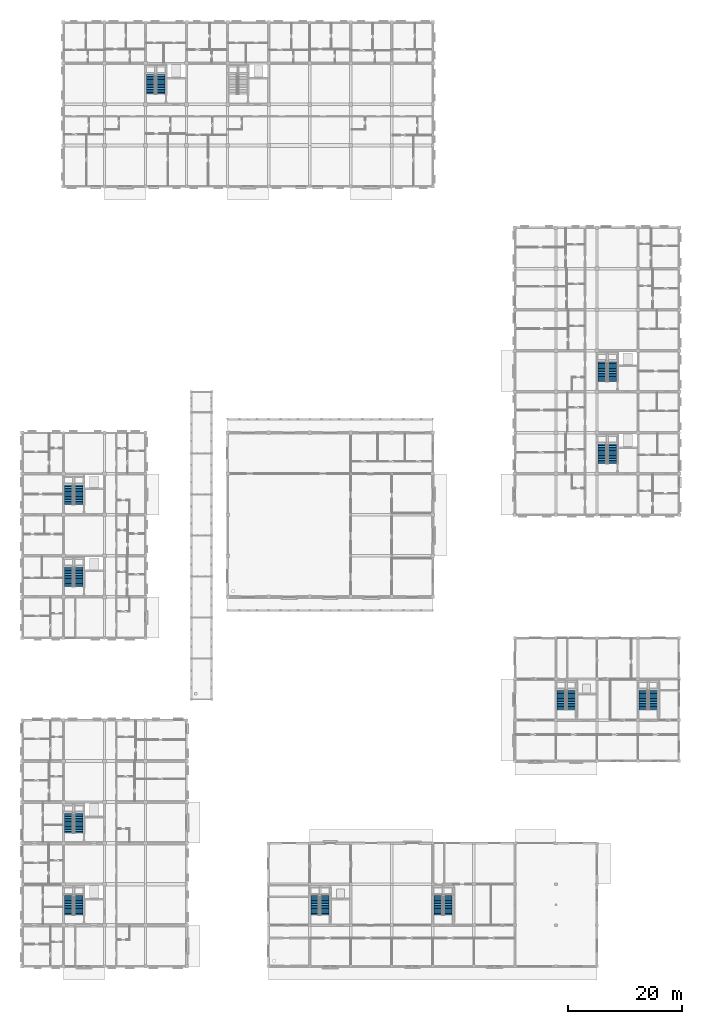
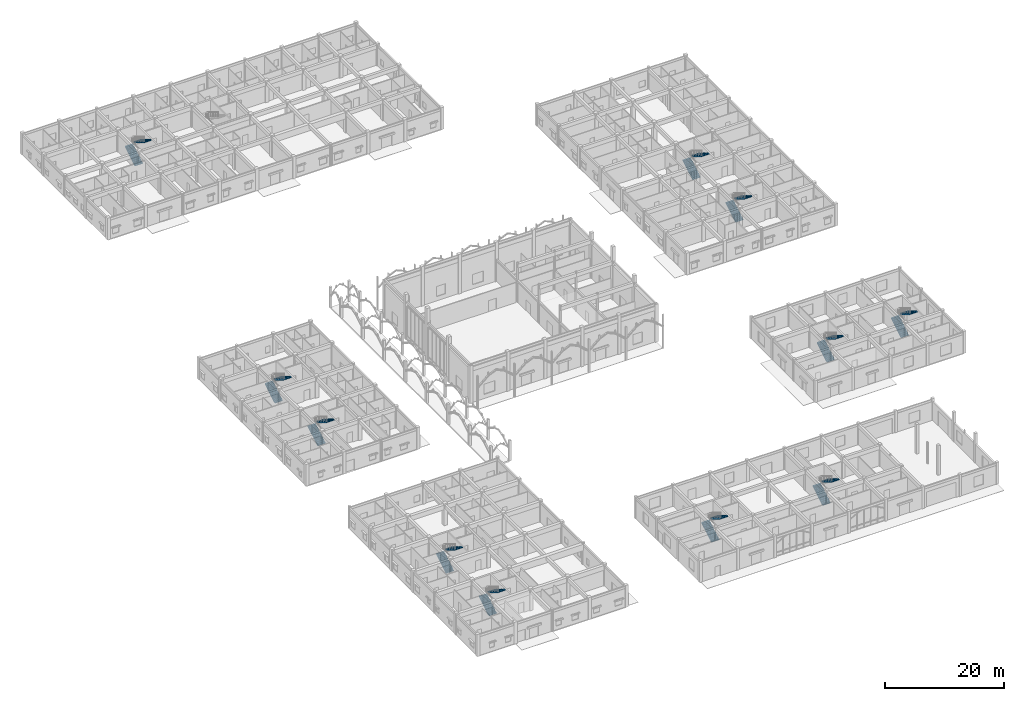
# One storey, part 122 of 138: 22 stair flights, 11 elements without a shape of their own.
"""IFC4 building model written with IfcOpenShell, lengths in metres."""

from ifc_helpers import new_model, si_unit, direction, frame, origin, place, context, subcontext, project, spatial, polyline, outline, extrude, material, type_object, element, aggregate, save


model = new_model("IFC4")

# Units and contexts
model_context = context("Model", 3, precision=1e-05, world=origin(), true_north=direction((0.0, 1.0)))
body_context = subcontext(model_context, "Body", "Model", "MODEL_VIEW")
ifc_project = project(units=[si_unit("LENGTHUNIT", "METRE"), si_unit("AREAUNIT", "SQUARE_METRE"), si_unit("VOLUMEUNIT", "CUBIC_METRE"), si_unit("PLANEANGLEUNIT", "RADIAN"), si_unit("MASSUNIT", "GRAM", prefix="KILO"), si_unit("THERMODYNAMICTEMPERATUREUNIT", "KELVIN"), si_unit("POWERUNIT", "WATT")], contexts=[model_context])

# Site, building, storey
site_placement = place(None, origin())
site = spatial("IfcSite", under=ifc_project, at=site_placement, CompositionType="ELEMENT")
building_placement = place(site_placement, origin())
building = spatial("IfcBuilding", under=site, at=building_placement, Name="Tavuni Mirador Residences", CompositionType="ELEMENT")
storey_placement = place(building_placement, origin())
storey = spatial("IfcBuildingStorey", under=building, at=storey_placement, Name="L00", CompositionType="ELEMENT", Elevation=0.0)

# Stair, stair flights
ifc_material = material(Name="Precast concrete C40/50", Category="concrete")
stair_type = type_object("IfcStairType", Name="STT-L00", PredefinedType="HALF_TURN_STAIR", material=ifc_material)
stair_1_placement = place(storey_placement, origin())
stair_1 = element("IfcStair", 1, at=stair_1_placement, inside=storey, type_object=stair_type, Name="Protected exit stair ST1 (L00)", PredefinedType="HALF_TURN_STAIR")
stair_flight_type = type_object("IfcStairFlightType", Name="SFT-1500", PredefinedType="STRAIGHT", material=ifc_material)
stair_flight_1_placement = place(storey_placement, frame((11.75, 16.199951171875, 0.0), z_axis=(0.0, 0.0, 1.0), x_axis=(0.0, 1.0, 0.0)))
stair_flight_1 = element("IfcStairFlight", 2, at=stair_flight_1_placement, type_object=stair_flight_type, Name="ST1 flight 1", NumberOfRisers=13, NumberOfTreads=12, PredefinedType="STRAIGHT", RiserHeight=0.173076923, TreadLength=0.285, context=body_context, shape_type="SweptSolid", body=[
    extrude(outline(polyline([(0.0, 0.0), (0.0, 0.173095703125), (0.284912109375, 0.173095703125), (0.284912109375, 0.34619140625), (0.570068359375, 0.34619140625), (0.570068359375, 0.519287109375), (0.85498046875, 0.519287109375), (0.85498046875, 0.6923828125), (1.139892578125, 0.6923828125), (1.139892578125, 0.865478515625), (1.425048828125, 0.865478515625), (1.425048828125, 1.03857421875), (1.7099609375, 1.03857421875), (1.7099609375, 1.21142578125), (1.9951171875, 1.21142578125), (1.9951171875, 1.384521484375), (2.280029296875, 1.384521484375), (2.280029296875, 1.5576171875), (2.56494140625, 1.5576171875), (2.56494140625, 1.730712890625), (2.85009765625, 1.730712890625), (2.85009765625, 1.90380859375), (3.135009765625, 1.90380859375), (3.135009765625, 2.076904296875), (3.419921875, 2.076904296875), (3.419921875, 2.25), (3.419921875, 1.889892578125), (0.30810546875, 0.0), (0.0, 0.0)])), frame((0.0, 0.75, 0.0), z_axis=(0.0, -1.0, 0.0), x_axis=(1.0, 0.0, 0.0)), (0.0, 0.0, 1.0), 1.5),
])
stair_flight_2_placement = place(storey_placement, frame((13.449951171875, 19.6201171875, 2.25), z_axis=(0.0, 0.0, 1.0), x_axis=(0.0, -1.0, 0.0)))
stair_flight_2 = element("IfcStairFlight", 3, at=stair_flight_2_placement, type_object=stair_flight_type, Name="ST1 flight 2", NumberOfRisers=13, NumberOfTreads=12, PredefinedType="STRAIGHT", RiserHeight=0.173076923, TreadLength=0.285, context=body_context, shape_type="SweptSolid", body=[
    extrude(outline(polyline([(0.0, 0.0), (0.0, 0.173095703125), (0.284912109375, 0.173095703125), (0.284912109375, 0.34619140625), (0.570068359375, 0.34619140625), (0.570068359375, 0.519287109375), (0.85498046875, 0.519287109375), (0.85498046875, 0.6923828125), (1.139892578125, 0.6923828125), (1.139892578125, 0.865478515625), (1.425048828125, 0.865478515625), (1.425048828125, 1.03857421875), (1.7099609375, 1.03857421875), (1.7099609375, 1.21142578125), (1.9951171875, 1.21142578125), (1.9951171875, 1.384521484375), (2.280029296875, 1.384521484375), (2.280029296875, 1.5576171875), (2.56494140625, 1.5576171875), (2.56494140625, 1.730712890625), (2.85009765625, 1.730712890625), (2.85009765625, 1.90380859375), (3.135009765625, 1.90380859375), (3.135009765625, 2.076904296875), (3.419921875, 2.076904296875), (3.419921875, 2.25), (3.419921875, 1.889892578125), (0.30810546875, 0.0), (0.0, 0.0)])), frame((0.0, 0.75, 0.0), z_axis=(0.0, -1.0, 0.0), x_axis=(1.0, 0.0, 0.0)), (0.0, 0.0, 1.0), 1.5),
])
aggregate(stair_1, [stair_flight_1, stair_flight_2])

stair_2_placement = place(storey_placement, origin())
stair_2 = element("IfcStair", 4, at=stair_2_placement, inside=storey, type_object=stair_type, Name="Protected exit stair ST2 (L00)", PredefinedType="HALF_TURN_STAIR")
stair_flight_3_placement = place(storey_placement, frame((11.75, 30.60009765625, 0.0), z_axis=(0.0, 0.0, 1.0), x_axis=(0.0, 1.0, 0.0)))
stair_flight_3 = element("IfcStairFlight", 5, at=stair_flight_3_placement, type_object=stair_flight_type, Name="ST2 flight 1", NumberOfRisers=13, NumberOfTreads=12, PredefinedType="STRAIGHT", RiserHeight=0.173076923, TreadLength=0.285, context=body_context, shape_type="SweptSolid", body=[
    extrude(outline(polyline([(0.0, 0.0), (0.0, 0.173095703125), (0.284912109375, 0.173095703125), (0.284912109375, 0.34619140625), (0.570068359375, 0.34619140625), (0.570068359375, 0.519287109375), (0.85498046875, 0.519287109375), (0.85498046875, 0.6923828125), (1.139892578125, 0.6923828125), (1.139892578125, 0.865478515625), (1.425048828125, 0.865478515625), (1.425048828125, 1.03857421875), (1.7099609375, 1.03857421875), (1.7099609375, 1.21142578125), (1.9951171875, 1.21142578125), (1.9951171875, 1.384521484375), (2.280029296875, 1.384521484375), (2.280029296875, 1.5576171875), (2.56494140625, 1.5576171875), (2.56494140625, 1.730712890625), (2.85009765625, 1.730712890625), (2.85009765625, 1.90380859375), (3.135009765625, 1.90380859375), (3.135009765625, 2.076904296875), (3.419921875, 2.076904296875), (3.419921875, 2.25), (3.419921875, 1.889892578125), (0.30810546875, 0.0), (0.0, 0.0)])), frame((0.0, 0.75, 0.0), z_axis=(0.0, -1.0, 0.0), x_axis=(1.0, 0.0, 0.0)), (0.0, 0.0, 1.0), 1.5),
])
stair_flight_4_placement = place(storey_placement, frame((13.449951171875, 34.02001953125, 2.25), z_axis=(0.0, 0.0, 1.0), x_axis=(0.0, -1.0, 0.0)))
stair_flight_4 = element("IfcStairFlight", 6, at=stair_flight_4_placement, type_object=stair_flight_type, Name="ST2 flight 2", NumberOfRisers=13, NumberOfTreads=12, PredefinedType="STRAIGHT", RiserHeight=0.173076923, TreadLength=0.285, context=body_context, shape_type="SweptSolid", body=[
    extrude(outline(polyline([(0.0, 0.0), (0.0, 0.173095703125), (0.284912109375, 0.173095703125), (0.284912109375, 0.34619140625), (0.570068359375, 0.34619140625), (0.570068359375, 0.519287109375), (0.85498046875, 0.519287109375), (0.85498046875, 0.6923828125), (1.139892578125, 0.6923828125), (1.139892578125, 0.865478515625), (1.425048828125, 0.865478515625), (1.425048828125, 1.03857421875), (1.7099609375, 1.03857421875), (1.7099609375, 1.21142578125), (1.9951171875, 1.21142578125), (1.9951171875, 1.384521484375), (2.280029296875, 1.384521484375), (2.280029296875, 1.5576171875), (2.56494140625, 1.5576171875), (2.56494140625, 1.730712890625), (2.85009765625, 1.730712890625), (2.85009765625, 1.90380859375), (3.135009765625, 1.90380859375), (3.135009765625, 2.076904296875), (3.419921875, 2.076904296875), (3.419921875, 2.25), (3.419921875, 1.889892578125), (0.30810546875, 0.0), (0.0, 0.0)])), frame((0.0, 0.75, 0.0), z_axis=(0.0, -1.0, 0.0), x_axis=(1.0, 0.0, 0.0)), (0.0, 0.0, 1.0), 1.5),
])
aggregate(stair_2, [stair_flight_3, stair_flight_4])

stair_3_placement = place(storey_placement, origin())
stair_3 = element("IfcStair", 7, at=stair_3_placement, inside=storey, type_object=stair_type, Name="Protected exit stair ST3 (L00)", PredefinedType="HALF_TURN_STAIR")
stair_flight_5_placement = place(storey_placement, frame((11.75, 73.800048828125, 0.0), z_axis=(0.0, 0.0, 1.0), x_axis=(0.0, 1.0, 0.0)))
stair_flight_5 = element("IfcStairFlight", 8, at=stair_flight_5_placement, type_object=stair_flight_type, Name="ST3 flight 1", NumberOfRisers=13, NumberOfTreads=12, PredefinedType="STRAIGHT", RiserHeight=0.173076923, TreadLength=0.285, context=body_context, shape_type="SweptSolid", body=[
    extrude(outline(polyline([(0.0, 0.0), (0.0, 0.173095703125), (0.284912109375, 0.173095703125), (0.284912109375, 0.34619140625), (0.570068359375, 0.34619140625), (0.570068359375, 0.519287109375), (0.85498046875, 0.519287109375), (0.85498046875, 0.6923828125), (1.139892578125, 0.6923828125), (1.139892578125, 0.865478515625), (1.425048828125, 0.865478515625), (1.425048828125, 1.03857421875), (1.7099609375, 1.03857421875), (1.7099609375, 1.21142578125), (1.9951171875, 1.21142578125), (1.9951171875, 1.384521484375), (2.280029296875, 1.384521484375), (2.280029296875, 1.5576171875), (2.56494140625, 1.5576171875), (2.56494140625, 1.730712890625), (2.85009765625, 1.730712890625), (2.85009765625, 1.90380859375), (3.135009765625, 1.90380859375), (3.135009765625, 2.076904296875), (3.419921875, 2.076904296875), (3.419921875, 2.25), (3.419921875, 1.889892578125), (0.30810546875, 0.0), (0.0, 0.0)])), frame((0.0, 0.75, 0.0), z_axis=(0.0, -1.0, 0.0), x_axis=(1.0, 0.0, 0.0)), (0.0, 0.0, 1.0), 1.5),
])
stair_flight_6_placement = place(storey_placement, frame((13.449951171875, 77.219970703125, 2.25), z_axis=(0.0, 0.0, 1.0), x_axis=(0.0, -1.0, 0.0)))
stair_flight_6 = element("IfcStairFlight", 9, at=stair_flight_6_placement, type_object=stair_flight_type, Name="ST3 flight 2", NumberOfRisers=13, NumberOfTreads=12, PredefinedType="STRAIGHT", RiserHeight=0.173076923, TreadLength=0.285, context=body_context, shape_type="SweptSolid", body=[
    extrude(outline(polyline([(0.0, 0.0), (0.0, 0.173095703125), (0.284912109375, 0.173095703125), (0.284912109375, 0.34619140625), (0.570068359375, 0.34619140625), (0.570068359375, 0.519287109375), (0.85498046875, 0.519287109375), (0.85498046875, 0.6923828125), (1.139892578125, 0.6923828125), (1.139892578125, 0.865478515625), (1.425048828125, 0.865478515625), (1.425048828125, 1.03857421875), (1.7099609375, 1.03857421875), (1.7099609375, 1.21142578125), (1.9951171875, 1.21142578125), (1.9951171875, 1.384521484375), (2.280029296875, 1.384521484375), (2.280029296875, 1.5576171875), (2.56494140625, 1.5576171875), (2.56494140625, 1.730712890625), (2.85009765625, 1.730712890625), (2.85009765625, 1.90380859375), (3.135009765625, 1.90380859375), (3.135009765625, 2.076904296875), (3.419921875, 2.076904296875), (3.419921875, 2.25), (3.419921875, 1.889892578125), (0.30810546875, 0.0), (0.0, 0.0)])), frame((0.0, 0.75, 0.0), z_axis=(0.0, -1.0, 0.0), x_axis=(1.0, 0.0, 0.0)), (0.0, 0.0, 1.0), 1.5),
])
aggregate(stair_3, [stair_flight_5, stair_flight_6])

stair_4_placement = place(storey_placement, origin())
stair_4 = element("IfcStair", 10, at=stair_4_placement, inside=storey, type_object=stair_type, Name="Protected exit stair ST4 (L00)", PredefinedType="HALF_TURN_STAIR")
stair_flight_7_placement = place(storey_placement, frame((11.75, 88.199951171875, 0.0), z_axis=(0.0, 0.0, 1.0), x_axis=(0.0, 1.0, 0.0)))
stair_flight_7 = element("IfcStairFlight", 11, at=stair_flight_7_placement, type_object=stair_flight_type, Name="ST4 flight 1", NumberOfRisers=13, NumberOfTreads=12, PredefinedType="STRAIGHT", RiserHeight=0.173076923, TreadLength=0.285, context=body_context, shape_type="SweptSolid", body=[
    extrude(outline(polyline([(0.0, 0.0), (0.0, 0.173095703125), (0.284912109375, 0.173095703125), (0.284912109375, 0.34619140625), (0.570068359375, 0.34619140625), (0.570068359375, 0.519287109375), (0.85498046875, 0.519287109375), (0.85498046875, 0.6923828125), (1.139892578125, 0.6923828125), (1.139892578125, 0.865478515625), (1.425048828125, 0.865478515625), (1.425048828125, 1.03857421875), (1.7099609375, 1.03857421875), (1.7099609375, 1.21142578125), (1.9951171875, 1.21142578125), (1.9951171875, 1.384521484375), (2.280029296875, 1.384521484375), (2.280029296875, 1.5576171875), (2.56494140625, 1.5576171875), (2.56494140625, 1.730712890625), (2.85009765625, 1.730712890625), (2.85009765625, 1.90380859375), (3.135009765625, 1.90380859375), (3.135009765625, 2.076904296875), (3.419921875, 2.076904296875), (3.419921875, 2.25), (3.419921875, 1.889892578125), (0.30810546875, 0.0), (0.0, 0.0)])), frame((0.0, 0.75, 0.0), z_axis=(0.0, -1.0, 0.0), x_axis=(1.0, 0.0, 0.0)), (0.0, 0.0, 1.0), 1.5),
])
stair_flight_8_placement = place(storey_placement, frame((13.449951171875, 91.6201171875, 2.25), z_axis=(0.0, 0.0, 1.0), x_axis=(0.0, -1.0, 0.0)))
stair_flight_8 = element("IfcStairFlight", 12, at=stair_flight_8_placement, type_object=stair_flight_type, Name="ST4 flight 2", NumberOfRisers=13, NumberOfTreads=12, PredefinedType="STRAIGHT", RiserHeight=0.173076923, TreadLength=0.285, context=body_context, shape_type="SweptSolid", body=[
    extrude(outline(polyline([(0.0, 0.0), (0.0, 0.173095703125), (0.284912109375, 0.173095703125), (0.284912109375, 0.34619140625), (0.570068359375, 0.34619140625), (0.570068359375, 0.519287109375), (0.85498046875, 0.519287109375), (0.85498046875, 0.6923828125), (1.139892578125, 0.6923828125), (1.139892578125, 0.865478515625), (1.425048828125, 0.865478515625), (1.425048828125, 1.03857421875), (1.7099609375, 1.03857421875), (1.7099609375, 1.21142578125), (1.9951171875, 1.21142578125), (1.9951171875, 1.384521484375), (2.280029296875, 1.384521484375), (2.280029296875, 1.5576171875), (2.56494140625, 1.5576171875), (2.56494140625, 1.730712890625), (2.85009765625, 1.730712890625), (2.85009765625, 1.90380859375), (3.135009765625, 1.90380859375), (3.135009765625, 2.076904296875), (3.419921875, 2.076904296875), (3.419921875, 2.25), (3.419921875, 1.889892578125), (0.30810546875, 0.0), (0.0, 0.0)])), frame((0.0, 0.75, 0.0), z_axis=(0.0, -1.0, 0.0), x_axis=(1.0, 0.0, 0.0)), (0.0, 0.0, 1.0), 1.5),
])
aggregate(stair_4, [stair_flight_7, stair_flight_8])

stair_5_placement = place(storey_placement, origin())
stair_5 = element("IfcStair", 13, at=stair_5_placement, inside=storey, type_object=stair_type, Name="Protected exit stair ST5 (L00)", PredefinedType="HALF_TURN_STAIR")
stair_flight_9_placement = place(storey_placement, frame((26.14990234375, 160.199951171875, 0.0), z_axis=(0.0, 0.0, 1.0), x_axis=(0.0, 1.0, 0.0)))
stair_flight_9 = element("IfcStairFlight", 14, at=stair_flight_9_placement, type_object=stair_flight_type, Name="ST5 flight 1", NumberOfRisers=13, NumberOfTreads=12, PredefinedType="STRAIGHT", RiserHeight=0.173076923, TreadLength=0.285, context=body_context, shape_type="SweptSolid", body=[
    extrude(outline(polyline([(0.0, 0.0), (0.0, 0.173095703125), (0.284912109375, 0.173095703125), (0.284912109375, 0.34619140625), (0.570068359375, 0.34619140625), (0.570068359375, 0.519287109375), (0.85498046875, 0.519287109375), (0.85498046875, 0.6923828125), (1.139892578125, 0.6923828125), (1.139892578125, 0.865478515625), (1.425048828125, 0.865478515625), (1.425048828125, 1.03857421875), (1.7099609375, 1.03857421875), (1.7099609375, 1.21142578125), (1.9951171875, 1.21142578125), (1.9951171875, 1.384521484375), (2.280029296875, 1.384521484375), (2.280029296875, 1.5576171875), (2.56494140625, 1.5576171875), (2.56494140625, 1.730712890625), (2.85009765625, 1.730712890625), (2.85009765625, 1.90380859375), (3.135009765625, 1.90380859375), (3.135009765625, 2.076904296875), (3.419921875, 2.076904296875), (3.419921875, 2.25), (3.419921875, 1.889892578125), (0.30810546875, 0.0), (0.0, 0.0)])), frame((0.0, 0.75, 0.0), z_axis=(0.0, -1.0, 0.0), x_axis=(1.0, 0.0, 0.0)), (0.0, 0.0, 1.0), 1.5),
])
stair_flight_10_placement = place(storey_placement, frame((27.85009765625, 163.6201171875, 2.25), z_axis=(0.0, 0.0, 1.0), x_axis=(0.0, -1.0, 0.0)))
stair_flight_10 = element("IfcStairFlight", 15, at=stair_flight_10_placement, type_object=stair_flight_type, Name="ST5 flight 2", NumberOfRisers=13, NumberOfTreads=12, PredefinedType="STRAIGHT", RiserHeight=0.173076923, TreadLength=0.285, context=body_context, shape_type="SweptSolid", body=[
    extrude(outline(polyline([(0.0, 0.0), (0.0, 0.173095703125), (0.284912109375, 0.173095703125), (0.284912109375, 0.34619140625), (0.570068359375, 0.34619140625), (0.570068359375, 0.519287109375), (0.85498046875, 0.519287109375), (0.85498046875, 0.6923828125), (1.139892578125, 0.6923828125), (1.139892578125, 0.865478515625), (1.425048828125, 0.865478515625), (1.425048828125, 1.03857421875), (1.7099609375, 1.03857421875), (1.7099609375, 1.21142578125), (1.9951171875, 1.21142578125), (1.9951171875, 1.384521484375), (2.280029296875, 1.384521484375), (2.280029296875, 1.5576171875), (2.56494140625, 1.5576171875), (2.56494140625, 1.730712890625), (2.85009765625, 1.730712890625), (2.85009765625, 1.90380859375), (3.135009765625, 1.90380859375), (3.135009765625, 2.076904296875), (3.419921875, 2.076904296875), (3.419921875, 2.25), (3.419921875, 1.889892578125), (0.30810546875, 0.0), (0.0, 0.0)])), frame((0.0, 0.75, 0.0), z_axis=(0.0, -1.0, 0.0), x_axis=(1.0, 0.0, 0.0)), (0.0, 0.0, 1.0), 1.5),
])
aggregate(stair_5, [stair_flight_9, stair_flight_10])

stair_6_placement = place(storey_placement, origin())
stair_6 = element("IfcStair", 16, at=stair_6_placement, inside=storey, type_object=stair_type, Name="Protected exit stair ST7 (L00)", PredefinedType="HALF_TURN_STAIR")
stair_flight_11_placement = place(storey_placement, frame((105.35009765625, 95.39990234375, 0.0), z_axis=(0.0, 0.0, 1.0), x_axis=(0.0, 1.0, 0.0)))
stair_flight_11 = element("IfcStairFlight", 17, at=stair_flight_11_placement, type_object=stair_flight_type, Name="ST7 flight 1", NumberOfRisers=13, NumberOfTreads=12, PredefinedType="STRAIGHT", RiserHeight=0.173076923, TreadLength=0.285, context=body_context, shape_type="SweptSolid", body=[
    extrude(outline(polyline([(0.0, 0.0), (0.0, 0.173095703125), (0.284912109375, 0.173095703125), (0.284912109375, 0.34619140625), (0.570068359375, 0.34619140625), (0.570068359375, 0.519287109375), (0.85498046875, 0.519287109375), (0.85498046875, 0.6923828125), (1.139892578125, 0.6923828125), (1.139892578125, 0.865478515625), (1.425048828125, 0.865478515625), (1.425048828125, 1.03857421875), (1.7099609375, 1.03857421875), (1.7099609375, 1.21142578125), (1.9951171875, 1.21142578125), (1.9951171875, 1.384521484375), (2.280029296875, 1.384521484375), (2.280029296875, 1.5576171875), (2.56494140625, 1.5576171875), (2.56494140625, 1.730712890625), (2.85009765625, 1.730712890625), (2.85009765625, 1.90380859375), (3.135009765625, 1.90380859375), (3.135009765625, 2.076904296875), (3.419921875, 2.076904296875), (3.419921875, 2.25), (3.419921875, 1.889892578125), (0.30810546875, 0.0), (0.0, 0.0)])), frame((0.0, 0.75, 0.0), z_axis=(0.0, -1.0, 0.0), x_axis=(1.0, 0.0, 0.0)), (0.0, 0.0, 1.0), 1.5),
])
stair_flight_12_placement = place(storey_placement, frame((107.050048828125, 98.820068359375, 2.25), z_axis=(0.0, 0.0, 1.0), x_axis=(0.0, -1.0, 0.0)))
stair_flight_12 = element("IfcStairFlight", 18, at=stair_flight_12_placement, type_object=stair_flight_type, Name="ST7 flight 2", NumberOfRisers=13, NumberOfTreads=12, PredefinedType="STRAIGHT", RiserHeight=0.173076923, TreadLength=0.285, context=body_context, shape_type="SweptSolid", body=[
    extrude(outline(polyline([(0.0, 0.0), (0.0, 0.173095703125), (0.284912109375, 0.173095703125), (0.284912109375, 0.34619140625), (0.570068359375, 0.34619140625), (0.570068359375, 0.519287109375), (0.85498046875, 0.519287109375), (0.85498046875, 0.6923828125), (1.139892578125, 0.6923828125), (1.139892578125, 0.865478515625), (1.425048828125, 0.865478515625), (1.425048828125, 1.03857421875), (1.7099609375, 1.03857421875), (1.7099609375, 1.21142578125), (1.9951171875, 1.21142578125), (1.9951171875, 1.384521484375), (2.280029296875, 1.384521484375), (2.280029296875, 1.5576171875), (2.56494140625, 1.5576171875), (2.56494140625, 1.730712890625), (2.85009765625, 1.730712890625), (2.85009765625, 1.90380859375), (3.135009765625, 1.90380859375), (3.135009765625, 2.076904296875), (3.419921875, 2.076904296875), (3.419921875, 2.25), (3.419921875, 1.889892578125), (0.30810546875, 0.0), (0.0, 0.0)])), frame((0.0, 0.75, 0.0), z_axis=(0.0, -1.0, 0.0), x_axis=(1.0, 0.0, 0.0)), (0.0, 0.0, 1.0), 1.5),
])
aggregate(stair_6, [stair_flight_11, stair_flight_12])

stair_7_placement = place(storey_placement, origin())
stair_7 = element("IfcStair", 19, at=stair_7_placement, inside=storey, type_object=stair_type, Name="Protected exit stair ST8 (L00)", PredefinedType="HALF_TURN_STAIR")
stair_flight_13_placement = place(storey_placement, frame((105.35009765625, 109.800048828125, 0.0), z_axis=(0.0, 0.0, 1.0), x_axis=(0.0, 1.0, 0.0)))
stair_flight_13 = element("IfcStairFlight", 20, at=stair_flight_13_placement, type_object=stair_flight_type, Name="ST8 flight 1", NumberOfRisers=13, NumberOfTreads=12, PredefinedType="STRAIGHT", RiserHeight=0.173076923, TreadLength=0.285, context=body_context, shape_type="SweptSolid", body=[
    extrude(outline(polyline([(0.0, 0.0), (0.0, 0.173095703125), (0.284912109375, 0.173095703125), (0.284912109375, 0.34619140625), (0.570068359375, 0.34619140625), (0.570068359375, 0.519287109375), (0.85498046875, 0.519287109375), (0.85498046875, 0.6923828125), (1.139892578125, 0.6923828125), (1.139892578125, 0.865478515625), (1.425048828125, 0.865478515625), (1.425048828125, 1.03857421875), (1.7099609375, 1.03857421875), (1.7099609375, 1.21142578125), (1.9951171875, 1.21142578125), (1.9951171875, 1.384521484375), (2.280029296875, 1.384521484375), (2.280029296875, 1.5576171875), (2.56494140625, 1.5576171875), (2.56494140625, 1.730712890625), (2.85009765625, 1.730712890625), (2.85009765625, 1.90380859375), (3.135009765625, 1.90380859375), (3.135009765625, 2.076904296875), (3.419921875, 2.076904296875), (3.419921875, 2.25), (3.419921875, 1.889892578125), (0.30810546875, 0.0), (0.0, 0.0)])), frame((0.0, 0.75, 0.0), z_axis=(0.0, -1.0, 0.0), x_axis=(1.0, 0.0, 0.0)), (0.0, 0.0, 1.0), 1.5),
])
stair_flight_14_placement = place(storey_placement, frame((107.050048828125, 113.219970703125, 2.25), z_axis=(0.0, 0.0, 1.0), x_axis=(0.0, -1.0, 0.0)))
stair_flight_14 = element("IfcStairFlight", 21, at=stair_flight_14_placement, type_object=stair_flight_type, Name="ST8 flight 2", NumberOfRisers=13, NumberOfTreads=12, PredefinedType="STRAIGHT", RiserHeight=0.173076923, TreadLength=0.285, context=body_context, shape_type="SweptSolid", body=[
    extrude(outline(polyline([(0.0, 0.0), (0.0, 0.173095703125), (0.284912109375, 0.173095703125), (0.284912109375, 0.34619140625), (0.570068359375, 0.34619140625), (0.570068359375, 0.519287109375), (0.85498046875, 0.519287109375), (0.85498046875, 0.6923828125), (1.139892578125, 0.6923828125), (1.139892578125, 0.865478515625), (1.425048828125, 0.865478515625), (1.425048828125, 1.03857421875), (1.7099609375, 1.03857421875), (1.7099609375, 1.21142578125), (1.9951171875, 1.21142578125), (1.9951171875, 1.384521484375), (2.280029296875, 1.384521484375), (2.280029296875, 1.5576171875), (2.56494140625, 1.5576171875), (2.56494140625, 1.730712890625), (2.85009765625, 1.730712890625), (2.85009765625, 1.90380859375), (3.135009765625, 1.90380859375), (3.135009765625, 2.076904296875), (3.419921875, 2.076904296875), (3.419921875, 2.25), (3.419921875, 1.889892578125), (0.30810546875, 0.0), (0.0, 0.0)])), frame((0.0, 0.75, 0.0), z_axis=(0.0, -1.0, 0.0), x_axis=(1.0, 0.0, 0.0)), (0.0, 0.0, 1.0), 1.5),
])
aggregate(stair_7, [stair_flight_13, stair_flight_14])

stair_8_placement = place(storey_placement, origin())
stair_8 = element("IfcStair", 22, at=stair_8_placement, inside=storey, type_object=stair_type, Name="Protected exit stair ST9 (L00)", PredefinedType="HALF_TURN_STAIR")
stair_flight_15_placement = place(storey_placement, frame((54.949951171875, 16.199951171875, 0.0), z_axis=(0.0, 0.0, 1.0), x_axis=(0.0, 1.0, 0.0)))
stair_flight_15 = element("IfcStairFlight", 23, at=stair_flight_15_placement, type_object=stair_flight_type, Name="ST9 flight 1", NumberOfRisers=13, NumberOfTreads=12, PredefinedType="STRAIGHT", RiserHeight=0.173076923, TreadLength=0.285, context=body_context, shape_type="SweptSolid", body=[
    extrude(outline(polyline([(0.0, 0.0), (0.0, 0.173095703125), (0.284912109375, 0.173095703125), (0.284912109375, 0.34619140625), (0.570068359375, 0.34619140625), (0.570068359375, 0.519287109375), (0.85498046875, 0.519287109375), (0.85498046875, 0.6923828125), (1.139892578125, 0.6923828125), (1.139892578125, 0.865478515625), (1.425048828125, 0.865478515625), (1.425048828125, 1.03857421875), (1.7099609375, 1.03857421875), (1.7099609375, 1.21142578125), (1.9951171875, 1.21142578125), (1.9951171875, 1.384521484375), (2.280029296875, 1.384521484375), (2.280029296875, 1.5576171875), (2.56494140625, 1.5576171875), (2.56494140625, 1.730712890625), (2.85009765625, 1.730712890625), (2.85009765625, 1.90380859375), (3.135009765625, 1.90380859375), (3.135009765625, 2.076904296875), (3.419921875, 2.076904296875), (3.419921875, 2.25), (3.419921875, 1.889892578125), (0.30810546875, 0.0), (0.0, 0.0)])), frame((0.0, 0.75, 0.0), z_axis=(0.0, -1.0, 0.0), x_axis=(1.0, 0.0, 0.0)), (0.0, 0.0, 1.0), 1.5),
])
stair_flight_16_placement = place(storey_placement, frame((56.64990234375, 19.6201171875, 2.25), z_axis=(0.0, 0.0, 1.0), x_axis=(0.0, -1.0, 0.0)))
stair_flight_16 = element("IfcStairFlight", 24, at=stair_flight_16_placement, type_object=stair_flight_type, Name="ST9 flight 2", NumberOfRisers=13, NumberOfTreads=12, PredefinedType="STRAIGHT", RiserHeight=0.173076923, TreadLength=0.285, context=body_context, shape_type="SweptSolid", body=[
    extrude(outline(polyline([(0.0, 0.0), (0.0, 0.173095703125), (0.284912109375, 0.173095703125), (0.284912109375, 0.34619140625), (0.570068359375, 0.34619140625), (0.570068359375, 0.519287109375), (0.85498046875, 0.519287109375), (0.85498046875, 0.6923828125), (1.139892578125, 0.6923828125), (1.139892578125, 0.865478515625), (1.425048828125, 0.865478515625), (1.425048828125, 1.03857421875), (1.7099609375, 1.03857421875), (1.7099609375, 1.21142578125), (1.9951171875, 1.21142578125), (1.9951171875, 1.384521484375), (2.280029296875, 1.384521484375), (2.280029296875, 1.5576171875), (2.56494140625, 1.5576171875), (2.56494140625, 1.730712890625), (2.85009765625, 1.730712890625), (2.85009765625, 1.90380859375), (3.135009765625, 1.90380859375), (3.135009765625, 2.076904296875), (3.419921875, 2.076904296875), (3.419921875, 2.25), (3.419921875, 1.889892578125), (0.30810546875, 0.0), (0.0, 0.0)])), frame((0.0, 0.75, 0.0), z_axis=(0.0, -1.0, 0.0), x_axis=(1.0, 0.0, 0.0)), (0.0, 0.0, 1.0), 1.5),
])
aggregate(stair_8, [stair_flight_15, stair_flight_16])

stair_9_placement = place(storey_placement, origin())
stair_9 = element("IfcStair", 25, at=stair_9_placement, inside=storey, type_object=stair_type, Name="Protected exit stair ST10 (L00)", PredefinedType="HALF_TURN_STAIR")
stair_flight_17_placement = place(storey_placement, frame((76.550048828125, 16.199951171875, 0.0), z_axis=(0.0, 0.0, 1.0), x_axis=(0.0, 1.0, 0.0)))
stair_flight_17 = element("IfcStairFlight", 26, at=stair_flight_17_placement, type_object=stair_flight_type, Name="ST10 flight 1", NumberOfRisers=13, NumberOfTreads=12, PredefinedType="STRAIGHT", RiserHeight=0.173076923, TreadLength=0.285, context=body_context, shape_type="SweptSolid", body=[
    extrude(outline(polyline([(0.0, 0.0), (0.0, 0.173095703125), (0.284912109375, 0.173095703125), (0.284912109375, 0.34619140625), (0.570068359375, 0.34619140625), (0.570068359375, 0.519287109375), (0.85498046875, 0.519287109375), (0.85498046875, 0.6923828125), (1.139892578125, 0.6923828125), (1.139892578125, 0.865478515625), (1.425048828125, 0.865478515625), (1.425048828125, 1.03857421875), (1.7099609375, 1.03857421875), (1.7099609375, 1.21142578125), (1.9951171875, 1.21142578125), (1.9951171875, 1.384521484375), (2.280029296875, 1.384521484375), (2.280029296875, 1.5576171875), (2.56494140625, 1.5576171875), (2.56494140625, 1.730712890625), (2.85009765625, 1.730712890625), (2.85009765625, 1.90380859375), (3.135009765625, 1.90380859375), (3.135009765625, 2.076904296875), (3.419921875, 2.076904296875), (3.419921875, 2.25), (3.419921875, 1.889892578125), (0.30810546875, 0.0), (0.0, 0.0)])), frame((0.0, 0.75, 0.0), z_axis=(0.0, -1.0, 0.0), x_axis=(1.0, 0.0, 0.0)), (0.0, 0.0, 1.0), 1.5),
])
stair_flight_18_placement = place(storey_placement, frame((78.25, 19.6201171875, 2.25), z_axis=(0.0, 0.0, 1.0), x_axis=(0.0, -1.0, 0.0)))
stair_flight_18 = element("IfcStairFlight", 27, at=stair_flight_18_placement, type_object=stair_flight_type, Name="ST10 flight 2", NumberOfRisers=13, NumberOfTreads=12, PredefinedType="STRAIGHT", RiserHeight=0.173076923, TreadLength=0.285, context=body_context, shape_type="SweptSolid", body=[
    extrude(outline(polyline([(0.0, 0.0), (0.0, 0.173095703125), (0.284912109375, 0.173095703125), (0.284912109375, 0.34619140625), (0.570068359375, 0.34619140625), (0.570068359375, 0.519287109375), (0.85498046875, 0.519287109375), (0.85498046875, 0.6923828125), (1.139892578125, 0.6923828125), (1.139892578125, 0.865478515625), (1.425048828125, 0.865478515625), (1.425048828125, 1.03857421875), (1.7099609375, 1.03857421875), (1.7099609375, 1.21142578125), (1.9951171875, 1.21142578125), (1.9951171875, 1.384521484375), (2.280029296875, 1.384521484375), (2.280029296875, 1.5576171875), (2.56494140625, 1.5576171875), (2.56494140625, 1.730712890625), (2.85009765625, 1.730712890625), (2.85009765625, 1.90380859375), (3.135009765625, 1.90380859375), (3.135009765625, 2.076904296875), (3.419921875, 2.076904296875), (3.419921875, 2.25), (3.419921875, 1.889892578125), (0.30810546875, 0.0), (0.0, 0.0)])), frame((0.0, 0.75, 0.0), z_axis=(0.0, -1.0, 0.0), x_axis=(1.0, 0.0, 0.0)), (0.0, 0.0, 1.0), 1.5),
])
aggregate(stair_9, [stair_flight_17, stair_flight_18])

stair_10_placement = place(storey_placement, origin())
stair_10 = element("IfcStair", 28, at=stair_10_placement, inside=storey, type_object=stair_type, Name="Protected exit stair ST11 (L00)", PredefinedType="HALF_TURN_STAIR")
stair_flight_19_placement = place(storey_placement, frame((98.14990234375, 52.199951171875, 0.0), z_axis=(0.0, 0.0, 1.0), x_axis=(0.0, 1.0, 0.0)))
stair_flight_19 = element("IfcStairFlight", 29, at=stair_flight_19_placement, type_object=stair_flight_type, Name="ST11 flight 1", NumberOfRisers=13, NumberOfTreads=12, PredefinedType="STRAIGHT", RiserHeight=0.173076923, TreadLength=0.285, context=body_context, shape_type="SweptSolid", body=[
    extrude(outline(polyline([(0.0, 0.0), (0.0, 0.173095703125), (0.284912109375, 0.173095703125), (0.284912109375, 0.34619140625), (0.570068359375, 0.34619140625), (0.570068359375, 0.519287109375), (0.85498046875, 0.519287109375), (0.85498046875, 0.6923828125), (1.139892578125, 0.6923828125), (1.139892578125, 0.865478515625), (1.425048828125, 0.865478515625), (1.425048828125, 1.03857421875), (1.7099609375, 1.03857421875), (1.7099609375, 1.21142578125), (1.9951171875, 1.21142578125), (1.9951171875, 1.384521484375), (2.280029296875, 1.384521484375), (2.280029296875, 1.5576171875), (2.56494140625, 1.5576171875), (2.56494140625, 1.730712890625), (2.85009765625, 1.730712890625), (2.85009765625, 1.90380859375), (3.135009765625, 1.90380859375), (3.135009765625, 2.076904296875), (3.419921875, 2.076904296875), (3.419921875, 2.25), (3.419921875, 1.889892578125), (0.30810546875, 0.0), (0.0, 0.0)])), frame((0.0, 0.75, 0.0), z_axis=(0.0, -1.0, 0.0), x_axis=(1.0, 0.0, 0.0)), (0.0, 0.0, 1.0), 1.5),
])
stair_flight_20_placement = place(storey_placement, frame((99.85009765625, 55.6201171875, 2.25), z_axis=(0.0, 0.0, 1.0), x_axis=(0.0, -1.0, 0.0)))
stair_flight_20 = element("IfcStairFlight", 30, at=stair_flight_20_placement, type_object=stair_flight_type, Name="ST11 flight 2", NumberOfRisers=13, NumberOfTreads=12, PredefinedType="STRAIGHT", RiserHeight=0.173076923, TreadLength=0.285, context=body_context, shape_type="SweptSolid", body=[
    extrude(outline(polyline([(0.0, 0.0), (0.0, 0.173095703125), (0.284912109375, 0.173095703125), (0.284912109375, 0.34619140625), (0.570068359375, 0.34619140625), (0.570068359375, 0.519287109375), (0.85498046875, 0.519287109375), (0.85498046875, 0.6923828125), (1.139892578125, 0.6923828125), (1.139892578125, 0.865478515625), (1.425048828125, 0.865478515625), (1.425048828125, 1.03857421875), (1.7099609375, 1.03857421875), (1.7099609375, 1.21142578125), (1.9951171875, 1.21142578125), (1.9951171875, 1.384521484375), (2.280029296875, 1.384521484375), (2.280029296875, 1.5576171875), (2.56494140625, 1.5576171875), (2.56494140625, 1.730712890625), (2.85009765625, 1.730712890625), (2.85009765625, 1.90380859375), (3.135009765625, 1.90380859375), (3.135009765625, 2.076904296875), (3.419921875, 2.076904296875), (3.419921875, 2.25), (3.419921875, 1.889892578125), (0.30810546875, 0.0), (0.0, 0.0)])), frame((0.0, 0.75, 0.0), z_axis=(0.0, -1.0, 0.0), x_axis=(1.0, 0.0, 0.0)), (0.0, 0.0, 1.0), 1.5),
])
aggregate(stair_10, [stair_flight_19, stair_flight_20])

stair_11_placement = place(storey_placement, origin())
stair_11 = element("IfcStair", 31, at=stair_11_placement, inside=storey, type_object=stair_type, Name="Protected exit stair ST12 (L00)", PredefinedType="HALF_TURN_STAIR")
stair_flight_21_placement = place(storey_placement, frame((112.550048828125, 52.199951171875, 0.0), z_axis=(0.0, 0.0, 1.0), x_axis=(0.0, 1.0, 0.0)))
stair_flight_21 = element("IfcStairFlight", 32, at=stair_flight_21_placement, type_object=stair_flight_type, Name="ST12 flight 1", NumberOfRisers=13, NumberOfTreads=12, PredefinedType="STRAIGHT", RiserHeight=0.173076923, TreadLength=0.285, context=body_context, shape_type="SweptSolid", body=[
    extrude(outline(polyline([(0.0, 0.0), (0.0, 0.173095703125), (0.284912109375, 0.173095703125), (0.284912109375, 0.34619140625), (0.570068359375, 0.34619140625), (0.570068359375, 0.519287109375), (0.85498046875, 0.519287109375), (0.85498046875, 0.6923828125), (1.139892578125, 0.6923828125), (1.139892578125, 0.865478515625), (1.425048828125, 0.865478515625), (1.425048828125, 1.03857421875), (1.7099609375, 1.03857421875), (1.7099609375, 1.21142578125), (1.9951171875, 1.21142578125), (1.9951171875, 1.384521484375), (2.280029296875, 1.384521484375), (2.280029296875, 1.5576171875), (2.56494140625, 1.5576171875), (2.56494140625, 1.730712890625), (2.85009765625, 1.730712890625), (2.85009765625, 1.90380859375), (3.135009765625, 1.90380859375), (3.135009765625, 2.076904296875), (3.419921875, 2.076904296875), (3.419921875, 2.25), (3.419921875, 1.889892578125), (0.30810546875, 0.0), (0.0, 0.0)])), frame((0.0, 0.75, 0.0), z_axis=(0.0, -1.0, 0.0), x_axis=(1.0, 0.0, 0.0)), (0.0, 0.0, 1.0), 1.5),
])
stair_flight_22_placement = place(storey_placement, frame((114.25, 55.6201171875, 2.25), z_axis=(0.0, 0.0, 1.0), x_axis=(0.0, -1.0, 0.0)))
stair_flight_22 = element("IfcStairFlight", 33, at=stair_flight_22_placement, type_object=stair_flight_type, Name="ST12 flight 2", NumberOfRisers=13, NumberOfTreads=12, PredefinedType="STRAIGHT", RiserHeight=0.173076923, TreadLength=0.285, context=body_context, shape_type="SweptSolid", body=[
    extrude(outline(polyline([(0.0, 0.0), (0.0, 0.173095703125), (0.284912109375, 0.173095703125), (0.284912109375, 0.34619140625), (0.570068359375, 0.34619140625), (0.570068359375, 0.519287109375), (0.85498046875, 0.519287109375), (0.85498046875, 0.6923828125), (1.139892578125, 0.6923828125), (1.139892578125, 0.865478515625), (1.425048828125, 0.865478515625), (1.425048828125, 1.03857421875), (1.7099609375, 1.03857421875), (1.7099609375, 1.21142578125), (1.9951171875, 1.21142578125), (1.9951171875, 1.384521484375), (2.280029296875, 1.384521484375), (2.280029296875, 1.5576171875), (2.56494140625, 1.5576171875), (2.56494140625, 1.730712890625), (2.85009765625, 1.730712890625), (2.85009765625, 1.90380859375), (3.135009765625, 1.90380859375), (3.135009765625, 2.076904296875), (3.419921875, 2.076904296875), (3.419921875, 2.25), (3.419921875, 1.889892578125), (0.30810546875, 0.0), (0.0, 0.0)])), frame((0.0, 0.75, 0.0), z_axis=(0.0, -1.0, 0.0), x_axis=(1.0, 0.0, 0.0)), (0.0, 0.0, 1.0), 1.5),
])
aggregate(stair_11, [stair_flight_21, stair_flight_22])

save(model, "model.ifc")
